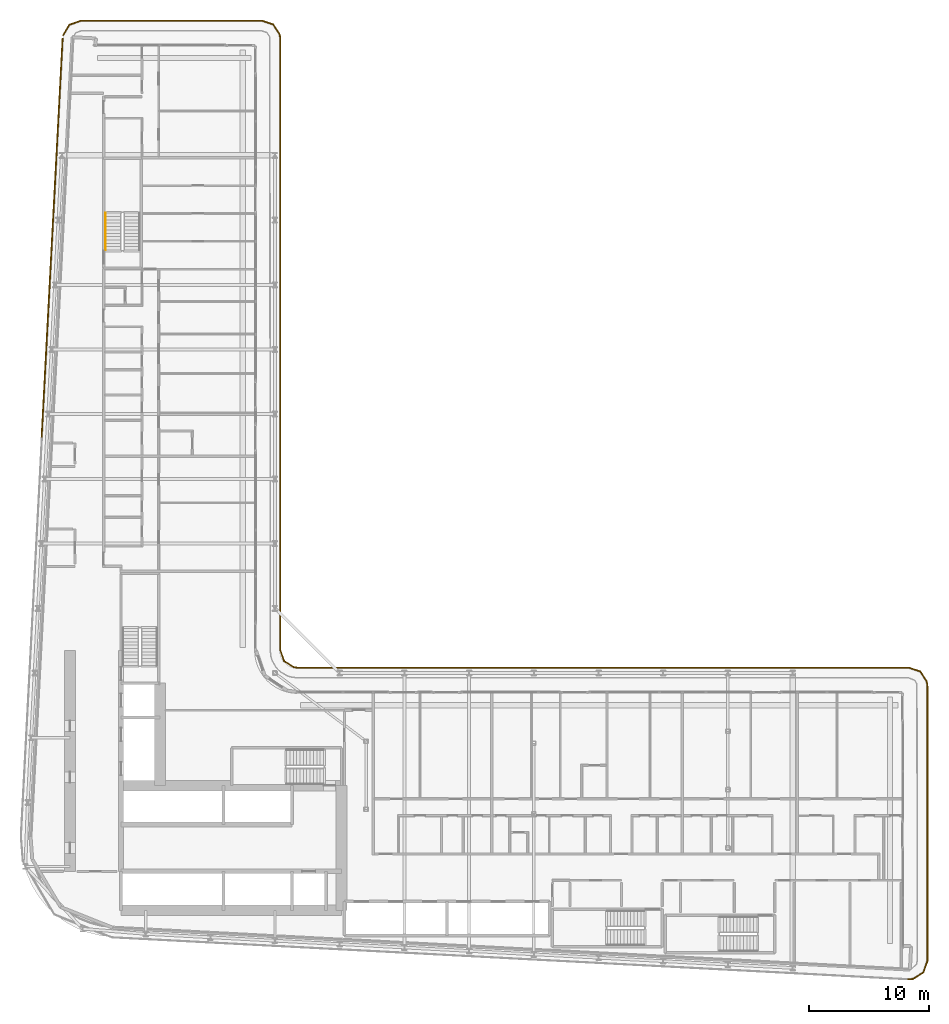
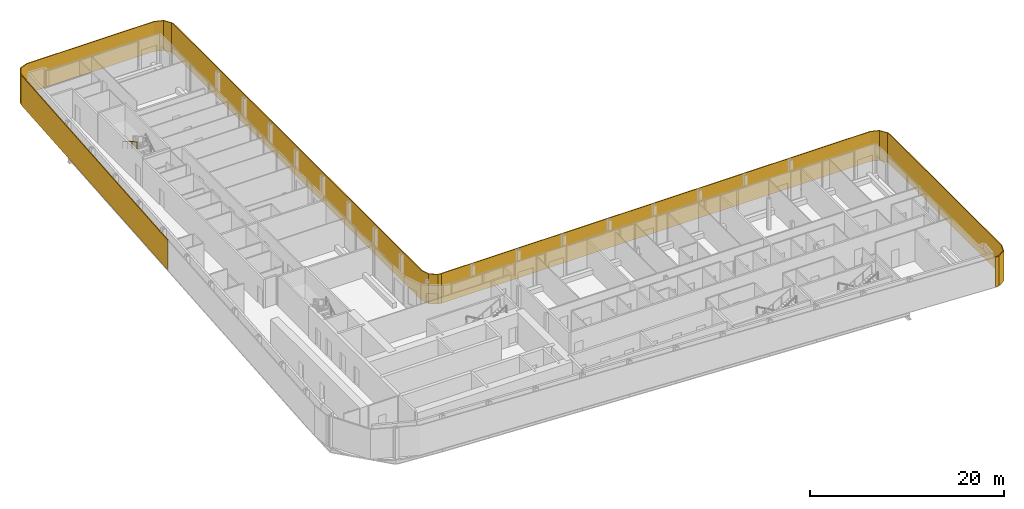
# One storey, part 26 of 28: 3 shading devices, 1 railing.
"""IFC4 building model written with IfcOpenShell, lengths in metres."""

from ifc_helpers import new_model, si_unit, direction, frame, origin, origin_2d, place, context, subcontext, project, spatial, polyline, rectangle, circle, outline, extrude, material, layer, layer_set, type_object, element, save


model = new_model("IFC4")

# Units and contexts
model_context = context("Model", 3, precision=1e-05, world=origin(), true_north=direction((0.0, 1.0)))
body_context = subcontext(model_context, "Body", "Model", "MODEL_VIEW")
ifc_project = project(units=[si_unit("LENGTHUNIT", "METRE"), si_unit("AREAUNIT", "SQUARE_METRE"), si_unit("VOLUMEUNIT", "CUBIC_METRE"), si_unit("PLANEANGLEUNIT", "RADIAN"), si_unit("MASSUNIT", "GRAM", prefix="KILO")], contexts=[model_context])

# Site, building, storey
site_placement = place(None, origin())
site = spatial("IfcSite", under=ifc_project, at=site_placement, CompositionType="ELEMENT")
building_placement = place(site_placement, origin())
building = spatial("IfcBuilding", under=site, at=building_placement, Name="Kheshtan School and Residences Tower", CompositionType="ELEMENT")
storey_placement = place(building_placement, frame((0.0, 0.0, 129.199951171875)))
storey = spatial("IfcBuildingStorey", under=building, at=storey_placement, Name="L30", CompositionType="ELEMENT", Elevation=129.199951171875)

# Shading devices
ifc_material_1 = material(Name="Terracotta baguette, extruded ceramic", Category="masonry")
ifc_layer_1 = layer(ifc_material_1, 0.10009765625)
ifc_layer_set_1 = layer_set([ifc_layer_1], Name="Ledge screen, terracotta baguettes")
shading_device_type_1 = type_object("IfcShadingDeviceType", Name="Ledge screen, terracotta baguettes", PredefinedType="USERDEFINED", material=ifc_layer_set_1)
shading_device_1_placement = place(storey_placement, frame((28.9990234375, 81.93408203125, 0.0), z_axis=(0.0, 0.0, 1.0), x_axis=(0.052562536748, 0.998617634398, 0.0)))
element("IfcShadingDevice", 1, at=shading_device_1_placement, inside=storey, type_object=shading_device_type_1, Name="Screen L30 5", ObjectType="BAGUETTE", PredefinedType="USERDEFINED", context=body_context, shape_type="SweptSolid", body=[
    extrude(rectangle(XDim=33.341064453125, YDim=0.10009765625, at=origin_2d()), origin(), (0.0, 0.0, 1.0), 3.75),
])
ifc_material_2 = material(Name="Terracotta lattice, extruded ceramic", Category="masonry")
ifc_layer_2 = layer(ifc_material_2, 0.10009765625)
ifc_layer_set_2 = layer_set([ifc_layer_2], Name="Loggia screen, terracotta lattice")
shading_device_type_2 = type_object("IfcShadingDeviceType", Name="Loggia screen, terracotta lattice", PredefinedType="USERDEFINED", material=ifc_layer_set_2)
shading_device_2_placement = place(storey_placement, origin())
element("IfcShadingDevice", 2, at=shading_device_2_placement, inside=storey, type_object=shading_device_type_2, Name="Screen L30 1", ObjectType="SCREEN", PredefinedType="USERDEFINED", context=body_context, shape_type="SweptSolid", body=[
    extrude(outline(polyline([(29.949951171875, 98.783935546875), (30.468017578125, 99.656982421875), (31.423095703125, 100.0), (46.5, 100.0), (47.4130859375, 99.68994140625), (47.948974609375, 98.887939453125), (48.0, 98.5), (48.0, 47.5), (48.31005859375, 46.5869140625), (49.112060546875, 46.051025390625), (49.5, 46.0), (49.512939453125, 46.09912109375), (49.14794921875, 46.14697265625), (48.39404296875, 46.65087890625), (48.10009765625, 47.51708984375), (48.10009765625, 98.507080078125), (48.044921875, 98.924072265625), (47.47705078125, 99.77392578125), (46.51708984375, 100.10009765625), (31.406005859375, 100.10009765625), (30.39990234375, 99.739013671875), (29.864013671875, 98.8349609375), (29.949951171875, 98.783935546875)])), origin(), (0.0, 0.0, 1.0), 3.75),
])
shading_device_3_placement = place(storey_placement, origin())
element("IfcShadingDevice", 3, at=shading_device_3_placement, inside=storey, type_object=shading_device_type_2, Name="Screen L30 2", ObjectType="SCREEN", PredefinedType="USERDEFINED", context=body_context, shape_type="SweptSolid", body=[
    extrude(outline(polyline([(49.5, 46.0), (100.5, 46.0), (101.4130859375, 45.68994140625), (101.948974609375, 44.887939453125), (102.0, 44.5), (102.0, 21.5810546875), (101.669921875, 20.64208984375), (100.823974609375, 20.116943359375), (100.4208984375, 20.0830078125), (100.428955078125, 19.98291015625), (100.85595703125, 20.01904296875), (101.7529296875, 20.575927734375), (102.10009765625, 21.56396484375), (102.10009765625, 44.507080078125), (102.044921875, 44.924072265625), (101.47705078125, 45.77392578125), (100.51708984375, 46.10009765625), (49.5, 46.10009765625), (49.5, 46.0)])), origin(), (0.0, 0.0, 1.0), 3.75),
])

# Railing
ifc_material_3 = material(Name="Stainless steel handrail", Category="steel")
railing_type = type_object("IfcRailingType", Name="Stair handrail 900", PredefinedType="HANDRAIL", material=ifc_material_3)
railing_placement = place(storey_placement, frame((33.449951171875, 83.97998046875, 2.112548828125)))
element("IfcRailing", 4, at=railing_placement, inside=storey, type_object=railing_type, Name="L30 ST3 stair handrail 2", PredefinedType="HANDRAIL", context=body_context, shape_type="SweptSolid", body=[
    extrude(circle(Radius=0.02392578125, at=origin_2d()), frame((0.0, 0.0, 0.8759765625), z_axis=(0.0, -0.864890721111, 0.501960198159), x_axis=(1.0, 0.0, 0.0)), (0.0, 0.0, 1.0), 3.561279296875),
    extrude(circle(Radius=0.02099609375, at=origin_2d()), origin(), (0.0, 0.0, 1.0), 0.851806640625),
    extrude(circle(Radius=0.02099609375, at=origin_2d()), frame((0.0, -1.026611328125, 0.595947265625)), (0.0, 0.0, 1.0), 0.851806640625),
    extrude(circle(Radius=0.02099609375, at=origin_2d()), frame((0.0, -2.053466796875, 1.191650390625)), (0.0, 0.0, 1.0), 0.851806640625),
    extrude(circle(Radius=0.02099609375, at=origin_2d()), frame((0.0, -3.080078125, 1.78759765625)), (0.0, 0.0, 1.0), 0.851806640625),
])

save(model, "model.ifc")
